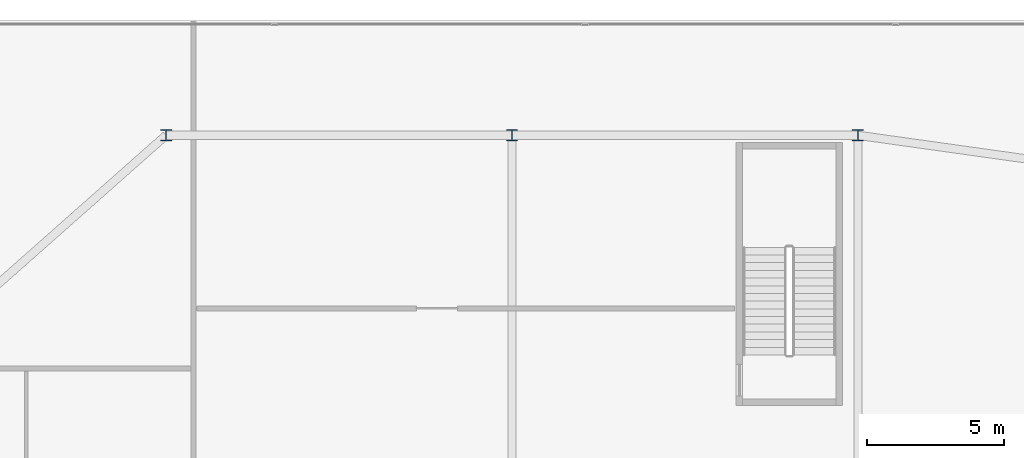
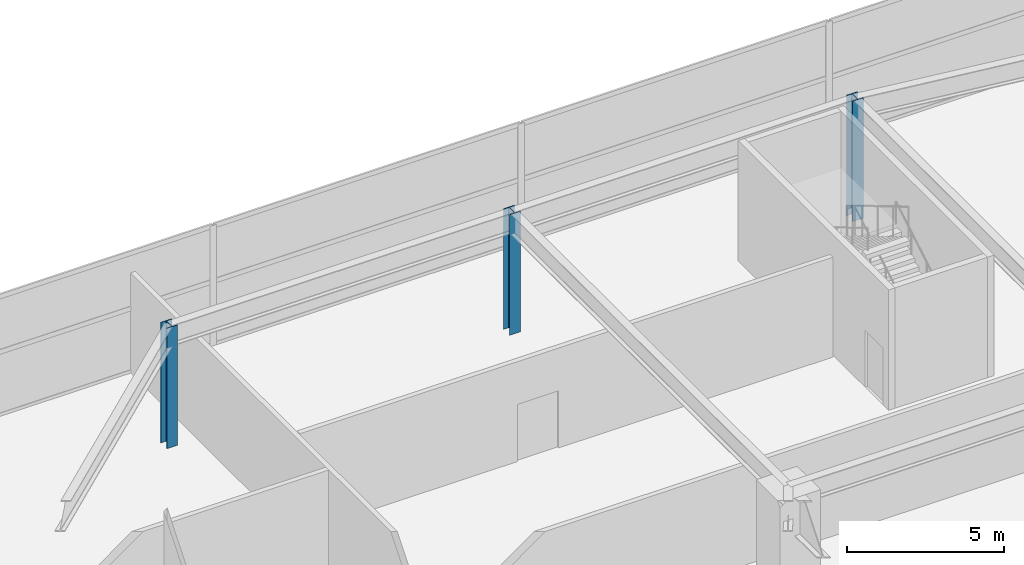
# One storey, part 2 of 35: 3 columns.
"""IFC4 building model written with IfcOpenShell, lengths in metres."""

from ifc_helpers import new_model, si_unit, direction, frame, origin, origin_2d, place, context, subcontext, project, spatial, i_section, extrude, material, material_profile, profile_set, type_object, element, save


model = new_model("IFC4")

# Units and contexts
model_context = context("Model", 3, precision=1e-05, world=origin(), true_north=direction((0.0, 1.0)))
body_context = subcontext(model_context, "Body", "Model", "MODEL_VIEW")
ifc_project = project(units=[si_unit("LENGTHUNIT", "METRE"), si_unit("AREAUNIT", "SQUARE_METRE"), si_unit("VOLUMEUNIT", "CUBIC_METRE"), si_unit("PLANEANGLEUNIT", "RADIAN"), si_unit("MASSUNIT", "GRAM", prefix="KILO")], contexts=[model_context])

# Site, building, storey
site_placement = place(None, origin())
site = spatial("IfcSite", under=ifc_project, at=site_placement, CompositionType="ELEMENT")
building_placement = place(site_placement, origin())
building = spatial("IfcBuilding", under=site, at=building_placement, Name="Calvorn Quay Hotel", CompositionType="ELEMENT")
storey_placement = place(building_placement, frame((0.0, 0.0, 12.0)))
storey = spatial("IfcBuildingStorey", under=building, at=storey_placement, Name="L02", CompositionType="ELEMENT", Elevation=12.0)

# Columns
ifc_material = material(Name="Steel Q420GJC", Category="steel")
ifc_material_profile = material_profile(ifc_material, i_section(OverallWidth=0.39990234375, OverallDepth=0.39990234375, WebThickness=0.012939453125, FlangeThickness=0.02099609375, FilletRadius=0.02197265625, at=origin_2d()), Name="HW400x400x13x21")
ifc_profile_set = profile_set([ifc_material_profile], Name="Steel Q420GJC")
column_type = type_object("IfcColumnType", Name="COL-STL-POD-PIL", PredefinedType="PILASTER", material=ifc_profile_set)
for number, where, z_axis, x_axis, name in (
    (1, (32.39990234375, 53.800048828125, 0.0), (0.0, 0.0, 1.0), (1.0, 0.0, 0.0), "Column C-PN3 (L02)"),
    (2, (45.0, 53.800048828125, 0.0), (0.0, 0.0, 1.0), (1.0, 0.0, 0.0), "Column C-PN4 (L02)"),
    (3, (57.60009765625, 53.800048828125, 0.0), (0.0, 0.0, 1.0), (1.0, 0.0, 0.0), "Column C-PN5 (L02)"),
):
    element("IfcColumn", number, at=place(storey_placement, frame(where, z_axis=z_axis, x_axis=x_axis)), inside=storey, type_object=column_type, Name=name, PredefinedType="PILASTER", context=body_context, shape_type="SweptSolid", body=[
        extrude(i_section(OverallWidth=0.39990234375, OverallDepth=0.39990234375, WebThickness=0.012939453125, FlangeThickness=0.02099609375, FilletRadius=0.02197265625, at=origin_2d()), origin(), (0.0, 0.0, 1.0), 4.679931640625),
    ])

save(model, "model.ifc")
